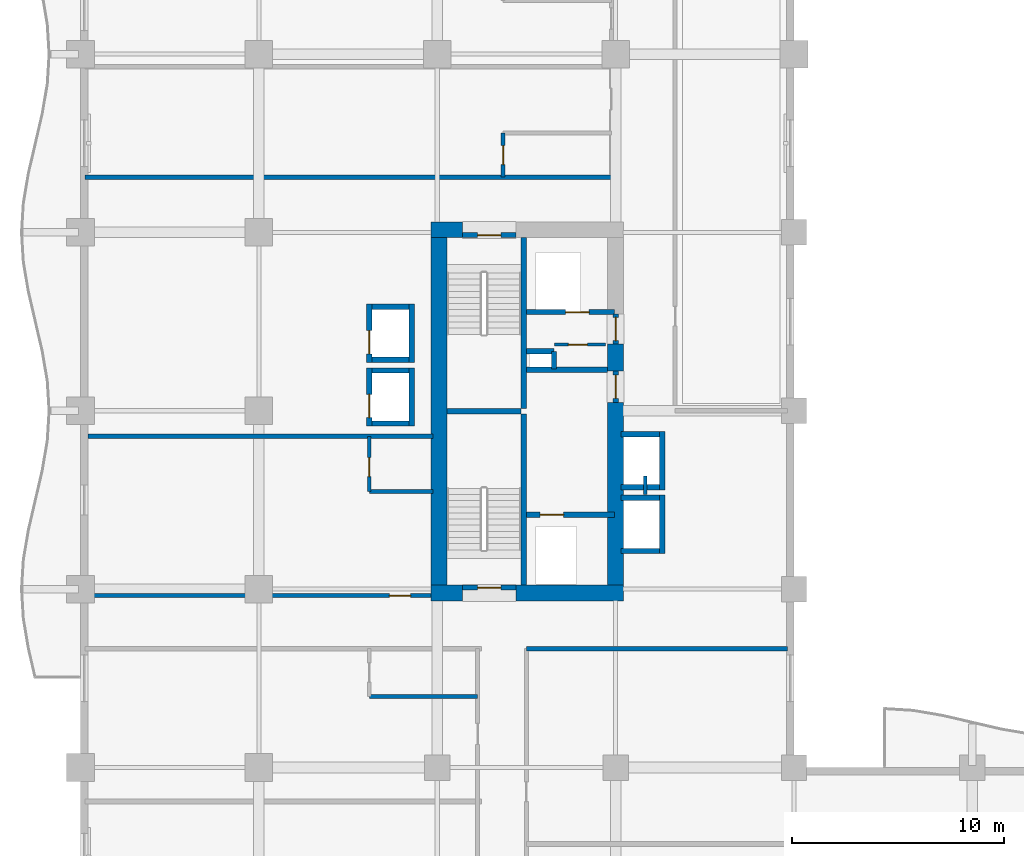
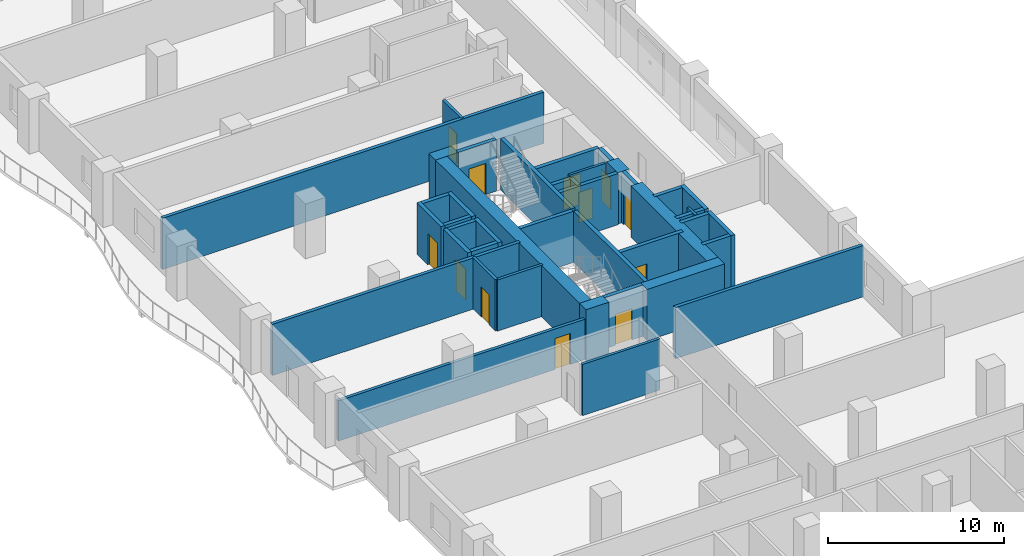
# One storey, part 13 of 24: 42 walls, 12 doors, 12 openings.
"""IFC4 building model written with IfcOpenShell, lengths in metres."""

from ifc_helpers import new_model, si_unit, direction, frame, frame_2d, origin, place, context, subcontext, project, spatial, rectangle, extrude, material, layer, layer_set, type_object, element, fill, save


model = new_model("IFC4")

# Units and contexts
model_context = context("Model", 3, precision=1e-05, world=origin(), true_north=direction((0.0, 1.0)))
body_context = subcontext(model_context, "Body", "Model", "MODEL_VIEW")
ifc_project = project(units=[si_unit("LENGTHUNIT", "METRE"), si_unit("AREAUNIT", "SQUARE_METRE"), si_unit("VOLUMEUNIT", "CUBIC_METRE"), si_unit("PLANEANGLEUNIT", "RADIAN"), si_unit("MASSUNIT", "GRAM", prefix="KILO")], contexts=[model_context])

# Site, building, storey
site_placement = place(None, origin())
site = spatial("IfcSite", under=ifc_project, at=site_placement, CompositionType="ELEMENT")
building_placement = place(site_placement, origin())
building = spatial("IfcBuilding", under=site, at=building_placement, Name="Koriwani Terraces Tower", CompositionType="ELEMENT")
storey_placement = place(building_placement, frame((0.0, 0.0, 103.800048828125)))
storey = spatial("IfcBuildingStorey", under=building, at=storey_placement, Name="L24", CompositionType="ELEMENT", Elevation=103.800048828125)

# Walls
ifc_material_1 = material(Name="Concrete C60/75", Category="concrete")
ifc_layer_1 = layer(ifc_material_1, 0.75, Name="Concrete C60/75")
ifc_layer_set_1 = layer_set([ifc_layer_1], Name="Concrete C60/75")
wall_type_1 = type_object("IfcWallType", Name="WALL_CORE_RC_750", PredefinedType="SHEAR", material=ifc_layer_set_1)
wall_1_placement = place(storey_placement, frame((16.5, 41.824951171875, 0.0), z_axis=(0.0, 0.0, 1.0), x_axis=(1.0, 0.0, 0.0)))
element("IfcWall", 1, at=wall_1_placement, inside=storey, type_object=wall_type_1, Name="L24 West Split Core Shear Wall S1", PredefinedType="SHEAR", context=body_context, shape_type="SweptSolid", body=[
    extrude(rectangle(XDim=1.5, YDim=0.75, at=frame_2d((0.75, 0.0))), origin(), (0.0, 0.0, 1.0), 3.550048828125),
])
wall_2_placement = place(storey_placement, frame((20.5, 41.824951171875, 0.0), z_axis=(0.0, 0.0, 1.0), x_axis=(1.0, 0.0, 0.0)))
element("IfcWall", 2, at=wall_2_placement, inside=storey, type_object=wall_type_1, Name="L24 West Split Core Shear Wall S2", PredefinedType="SHEAR", context=body_context, shape_type="SweptSolid", body=[
    extrude(rectangle(XDim=5.074951171875, YDim=0.75, at=frame_2d((2.53759765625, 0.0))), origin(), (0.0, 0.0, 1.0), 3.550048828125),
])
wall_3_placement = place(storey_placement, frame((16.5, 58.925048828125, 0.0), z_axis=(0.0, 0.0, 1.0), x_axis=(1.0, 0.0, 0.0)))
element("IfcWall", 3, at=wall_3_placement, inside=storey, type_object=wall_type_1, Name="L24 West Split Core Shear Wall N1", PredefinedType="SHEAR", context=body_context, shape_type="SweptSolid", body=[
    extrude(rectangle(XDim=1.5, YDim=0.75, at=frame_2d((0.75, 0.0))), origin(), (0.0, 0.0, 1.0), 3.550048828125),
])
wall_4_placement = place(storey_placement, frame((16.875, 42.199951171875, 0.0), z_axis=(0.0, 0.0, 1.0), x_axis=(0.0, 1.0, 0.0)))
element("IfcWall", 4, at=wall_4_placement, inside=storey, type_object=wall_type_1, Name="L24 West Split Core Shear Wall W1", PredefinedType="SHEAR", context=body_context, shape_type="SweptSolid", body=[
    extrude(rectangle(XDim=16.35009765625, YDim=0.75, at=frame_2d((8.175048828125, 0.0))), origin(), (0.0, 0.0, 1.0), 3.550048828125),
])
wall_5_placement = place(storey_placement, frame((25.199951171875, 42.199951171875, 0.0), z_axis=(0.0, 0.0, 1.0), x_axis=(0.0, 1.0, 0.0)))
element("IfcWall", 5, at=wall_5_placement, inside=storey, type_object=wall_type_1, Name="L24 West Split Core Shear Wall E1", PredefinedType="SHEAR", context=body_context, shape_type="SweptSolid", body=[
    extrude(rectangle(XDim=8.60009765625, YDim=0.75, at=frame_2d((4.300048828125, 0.0))), origin(), (0.0, 0.0, 1.0), 3.550048828125),
])
wall_6_placement = place(storey_placement, frame((25.199951171875, 52.280029296875, 0.0), z_axis=(0.0, 0.0, 1.0), x_axis=(0.0, 1.0, 0.0)))
element("IfcWall", 6, at=wall_6_placement, inside=storey, type_object=wall_type_1, Name="L24 West Split Core Shear Wall E2", PredefinedType="SHEAR", context=body_context, shape_type="SweptSolid", body=[
    extrude(rectangle(XDim=1.27001953125, YDim=0.75, at=frame_2d((0.635009765625, 0.0))), origin(), (0.0, 0.0, 1.0), 3.550048828125),
])

# Wall, opening, door
ifc_material_2 = material(Name="Autoclaved Cellular Concrete Blockwork", Category="masonry")
ifc_layer_2 = layer(ifc_material_2, 0.199951171875, Name="Autoclaved Cellular Concrete Blockwork")
ifc_layer_set_2 = layer_set([ifc_layer_2], Name="Autoclaved Cellular Concrete Blockwork")
wall_type_2 = type_object("IfcWallType", Name="WALL_CORRIDOR_200", PredefinedType="PARTITIONING", material=ifc_layer_set_2)
wall_7_placement = place(storey_placement, frame((0.35009765625, 41.699951171875, 0.0), z_axis=(0.0, 0.0, 1.0), x_axis=(1.0, 0.0, 0.0)))
wall_7 = element("IfcWall", 7, at=wall_7_placement, inside=storey, type_object=wall_type_2, Name="L24 Interior Wall WREC-WS-L24", PredefinedType="PARTITIONING", context=body_context, shape_type="SweptSolid", body=[
    extrude(rectangle(XDim=16.25, YDim=0.199951171875, at=frame_2d((8.125, 0.0))), origin(), (0.0, 0.0, 1.0), 2.800048828125),
])
opening_1_placement = place(wall_7_placement, frame((14.199951171875, 0.0, 0.0)))
opening_1 = element("IfcOpeningElement", 8, at=opening_1_placement, cuts=wall_7, Name="Opening D-05", PredefinedType="OPENING", context=body_context, shape_type="SweptSolid", body=[
    extrude(rectangle(XDim=1.0, YDim=2.14990234375, at=frame_2d((0.5, 1.074951171875))), frame((0.0, 0.10986328125, 0.0), z_axis=(0.0, -1.0, 0.0), x_axis=(1.0, 0.0, 0.0)), (0.0, 0.0, 1.0), 0.219970703125),
])
ifc_material_3 = material(Name="Architectural Oak Fire Door", Category="wood")
door_type_1 = type_object("IfcDoorType", Name="DOOR_SUITE_ENTRY_1000X2150", OperationType="NOTDEFINED", PredefinedType="DOOR", material=ifc_material_3)
door_1_placement = place(opening_1_placement, origin())
door_1 = element("IfcDoor", 9, at=door_1_placement, inside=storey, type_object=door_type_1, Name="L24 Reclaimed West Suite Door", OperationType="SINGLE_SWING_RIGHT", OverallHeight=2.14990234375, OverallWidth=1.0, PredefinedType="DOOR", context=body_context, shape_type="SweptSolid", body=[
    extrude(rectangle(XDim=1.0, YDim=2.14990234375, at=frame_2d((0.5, 1.074951171875))), frame((0.0, 0.02490234375, 0.0), z_axis=(0.0, -1.0, 0.0), x_axis=(1.0, 0.0, 0.0)), (0.0, 0.0, 1.0), 0.050048828125),
])
fill(opening_1, door_1)

# Walls
ifc_layer_3 = layer(ifc_material_2, 0.219970703125, Name="Autoclaved Cellular Concrete Blockwork")
ifc_layer_set_3 = layer_set([ifc_layer_3], Name="Autoclaved Cellular Concrete Blockwork")
wall_type_3 = type_object("IfcWallType", Name="WALL_DEMISING_220", PredefinedType="PARTITIONING", material=ifc_layer_set_3)
wall_8_placement = place(storey_placement, frame((0.35009765625, 49.199951171875, 0.0), z_axis=(0.0, 0.0, 1.0), x_axis=(1.0, 0.0, 0.0)))
element("IfcWall", 10, at=wall_8_placement, inside=storey, type_object=wall_type_3, Name="L24 Interior Wall WREC-WN-L24", PredefinedType="PARTITIONING", context=body_context, shape_type="SweptSolid", body=[
    extrude(rectangle(XDim=16.25, YDim=0.219970703125, at=frame_2d((8.125, 0.0))), origin(), (0.0, 0.0, 1.0), 3.550048828125),
])
wall_9_placement = place(storey_placement, frame((21.0, 39.199951171875, 0.0), z_axis=(0.0, 0.0, 1.0), x_axis=(1.0, 0.0, 0.0)))
element("IfcWall", 11, at=wall_9_placement, inside=storey, type_object=wall_type_3, Name="L24 Interior Wall WIC2-N-L24", PredefinedType="PARTITIONING", context=body_context, shape_type="SweptSolid", body=[
    extrude(rectangle(XDim=12.300048828125, YDim=0.219970703125, at=frame_2d((6.14990234375, 0.0))), origin(), (0.0, 0.0, 1.0), 3.550048828125),
])
wall_10_placement = place(storey_placement, frame((0.199951171875, 61.39990234375, 0.0), z_axis=(0.0, 0.0, 1.0), x_axis=(1.0, 0.0, 0.0)))
element("IfcWall", 12, at=wall_10_placement, inside=storey, type_object=wall_type_3, Name="L24 Interior Wall WDEM-L24-NE-0", PredefinedType="PARTITIONING", context=body_context, shape_type="SweptSolid", body=[
    extrude(rectangle(XDim=24.97998046875, YDim=0.219970703125, at=frame_2d((12.489990234375, 0.0))), origin(), (0.0, 0.0, 1.0), 3.550048828125),
])
ifc_material_4 = material(Name="Fire-Rated Acoustic Gypsum Partition", Category="masonry")
ifc_layer_4 = layer(ifc_material_4, 0.179931640625, Name="Fire-Rated Acoustic Gypsum Partition")
ifc_layer_set_4 = layer_set([ifc_layer_4], Name="Fire-Rated Acoustic Gypsum Partition")
wall_type_4 = type_object("IfcWallType", Name="WALL_PLUMBING_180", PredefinedType="PLUMBINGWALL", material=ifc_layer_set_4)
wall_11_placement = place(storey_placement, frame((13.60009765625, 46.60009765625, 0.0), z_axis=(0.0, 0.0, 1.0), x_axis=(1.0, 0.0, 0.0)))
element("IfcWall", 13, at=wall_11_placement, inside=storey, type_object=wall_type_4, Name="L24 Interior Wall WREC-WB1-L24", PredefinedType="PLUMBINGWALL", context=body_context, shape_type="SweptSolid", body=[
    extrude(rectangle(XDim=3.0, YDim=0.179931640625, at=frame_2d((1.5, 0.0))), origin(), (0.0, 0.0, 1.0), 3.550048828125),
])

# Wall, opening, door
wall_12_placement = place(storey_placement, frame((13.60009765625, 46.60009765625, 0.0), z_axis=(0.0, 0.0, 1.0), x_axis=(0.0, 1.0, 0.0)))
wall_12 = element("IfcWall", 14, at=wall_12_placement, inside=storey, type_object=wall_type_4, Name="L24 Interior Wall WREC-WB2-L24", PredefinedType="PLUMBINGWALL", context=body_context, shape_type="SweptSolid", body=[
    extrude(rectangle(XDim=2.599853515625, YDim=0.179931640625, at=frame_2d((1.2998046875, 0.0))), origin(), (0.0, 0.0, 1.0), 3.550048828125),
])
opening_2_placement = place(wall_12_placement, frame((0.699951171875, 0.0, 0.0)))
opening_2 = element("IfcOpeningElement", 15, at=opening_2_placement, cuts=wall_12, Name="Opening D-07", PredefinedType="OPENING", context=body_context, shape_type="SweptSolid", body=[
    extrude(rectangle(XDim=0.89990234375, YDim=2.10009765625, at=frame_2d((0.449951171875, 1.050048828125))), frame((0.0, 0.10009765625, 0.0), z_axis=(0.0, -1.0, 0.0), x_axis=(1.0, 0.0, 0.0)), (0.0, 0.0, 1.0), 0.199951171875),
])
door_type_2 = type_object("IfcDoorType", Name="DOOR_BATH_INT_900X2100", OperationType="NOTDEFINED", PredefinedType="DOOR", material=ifc_material_3)
door_2_placement = place(opening_2_placement, origin())
door_2 = element("IfcDoor", 16, at=door_2_placement, inside=storey, type_object=door_type_2, Name="L24 Reclaimed Suite En-Suite Door", OperationType="SINGLE_SWING_LEFT", OverallHeight=2.10009765625, OverallWidth=0.89990234375, PredefinedType="DOOR", context=body_context, shape_type="SweptSolid", body=[
    extrude(rectangle(XDim=0.89990234375, YDim=2.10009765625, at=frame_2d((0.449951171875, 1.050048828125))), frame((0.0, 0.02490234375, 0.0), z_axis=(0.0, -1.0, 0.0), x_axis=(1.0, 0.0, 0.0)), (0.0, 0.0, 1.0), 0.050048828125),
])
fill(opening_2, door_2)

# Wall
wall_13_placement = place(storey_placement, frame((13.60009765625, 36.949951171875, 0.0), z_axis=(0.0, 0.0, 1.0), x_axis=(1.0, 0.0, 0.0)))
element("IfcWall", 17, at=wall_13_placement, inside=storey, type_object=wall_type_4, Name="L24 Interior Wall WBTH2-L24-NW-1", PredefinedType="PLUMBINGWALL", context=body_context, shape_type="SweptSolid", body=[
    extrude(rectangle(XDim=5.099853515625, YDim=0.179931640625, at=frame_2d((2.5498046875, 0.0))), origin(), (0.0, 0.0, 1.0), 3.550048828125),
])

# Wall, opening, door
wall_14_placement = place(storey_placement, frame((19.89990234375, 61.39990234375, 0.0), z_axis=(0.0, 0.0, 1.0), x_axis=(0.0, 1.0, 0.0)))
wall_14 = element("IfcWall", 18, at=wall_14_placement, inside=storey, type_object=wall_type_4, Name="L24 Interior Wall WBTH1-L24-NE-0", PredefinedType="PLUMBINGWALL", context=body_context, shape_type="SweptSolid", body=[
    extrude(rectangle(XDim=2.080078125, YDim=0.179931640625, at=frame_2d((1.0400390625, 0.0))), origin(), (0.0, 0.0, 1.0), 3.550048828125),
])
opening_3_placement = place(wall_14_placement, frame((0.590087890625, 0.0, 0.0)))
opening_3 = element("IfcOpeningElement", 19, at=opening_3_placement, cuts=wall_14, Name="Opening D-07", PredefinedType="OPENING", context=body_context, shape_type="SweptSolid", body=[
    extrude(rectangle(XDim=0.89990234375, YDim=2.10009765625, at=frame_2d((0.449951171875, 1.050048828125))), frame((0.0, 0.10009765625, 0.0), z_axis=(0.0, -1.0, 0.0), x_axis=(1.0, 0.0, 0.0)), (0.0, 0.0, 1.0), 0.199951171875),
])
door_3_placement = place(opening_3_placement, origin())
door_3 = element("IfcDoor", 20, at=door_3_placement, inside=storey, type_object=door_type_2, Name="En-Suite Bathroom 24NE1 Door", OperationType="SINGLE_SWING_LEFT", OverallHeight=2.10009765625, OverallWidth=0.89990234375, PredefinedType="DOOR", context=body_context, shape_type="SweptSolid", body=[
    extrude(rectangle(XDim=0.89990234375, YDim=2.10009765625, at=frame_2d((0.449951171875, 1.050048828125))), frame((0.0, 0.02490234375, 0.0), z_axis=(0.0, -1.0, 0.0), x_axis=(1.0, 0.0, 0.0)), (0.0, 0.0, 1.0), 0.050048828125),
])
fill(opening_3, door_3)

# Walls
ifc_material_5 = material(Name="Concrete C40/50", Category="concrete")
ifc_layer_5 = layer(ifc_material_5, 0.25, Name="Concrete C40/50")
ifc_layer_set_5 = layer_set([ifc_layer_5], Name="Concrete C40/50")
wall_type_5 = type_object("IfcWallType", Name="WALL_SHAFT_RATED_250", PredefinedType="SOLIDWALL", material=ifc_layer_set_5)
for number, where, z_axis, x_axis, name in (
    (21, (20.875, 42.199951171875, 0.0), (0.0, 0.0, 1.0), (0.0, 1.0, 0.0), "L24 West Split Core Web Wall MID1"),
    (22, (20.875, 50.5, 0.0), (0.0, 0.0, 1.0), (0.0, 1.0, 0.0), "L24 West Split Core Web Wall MID2"),
):
    element("IfcWall", number, at=place(storey_placement, frame(where, z_axis=z_axis, x_axis=x_axis)), inside=storey, type_object=wall_type_5, Name=name, PredefinedType="SOLIDWALL", context=body_context, shape_type="SweptSolid", body=[
        extrude(rectangle(XDim=8.050048828125, YDim=0.25, at=frame_2d((4.02490234375, 0.0))), origin(), (0.0, 0.0, 1.0), 3.550048828125),
    ])
wall_15_placement = place(storey_placement, frame((17.25, 50.375, 0.0), z_axis=(0.0, 0.0, 1.0), x_axis=(1.0, 0.0, 0.0)))
element("IfcWall", 23, at=wall_15_placement, inside=storey, type_object=wall_type_5, Name="L24 West Split Core Stair Dividing Wall", PredefinedType="SOLIDWALL", context=body_context, shape_type="SweptSolid", body=[
    extrude(rectangle(XDim=3.5, YDim=0.25, at=frame_2d((1.75, 0.0))), origin(), (0.0, 0.0, 1.0), 3.550048828125),
])

# Wall, opening, door
wall_16_placement = place(storey_placement, frame((18.0, 42.074951171875, 0.0), z_axis=(0.0, 0.0, 1.0), x_axis=(1.0, 0.0, 0.0)))
wall_16 = element("IfcWall", 24, at=wall_16_placement, inside=storey, type_object=wall_type_5, Name="L24 Interior Wall WIN-CW-L24-STS", PredefinedType="SOLIDWALL", context=body_context, shape_type="SweptSolid", body=[
    extrude(rectangle(XDim=2.5, YDim=0.25, at=frame_2d((1.25, 0.0))), origin(), (0.0, 0.0, 1.0), 3.550048828125),
])
opening_4_placement = place(wall_16_placement, frame((0.699951171875, 0.0, 0.0)))
opening_4 = element("IfcOpeningElement", 25, at=opening_4_placement, cuts=wall_16, Name="Opening D-03", PredefinedType="OPENING", context=body_context, shape_type="SweptSolid", body=[
    extrude(rectangle(XDim=1.10009765625, YDim=2.14990234375, at=frame_2d((0.550048828125, 1.074951171875))), frame((0.0, 0.135009765625, 0.0), z_axis=(0.0, -1.0, 0.0), x_axis=(1.0, 0.0, 0.0)), (0.0, 0.0, 1.0), 0.27001953125),
])
ifc_material_6 = material(Name="Steel ASTM A572 Grade 50", Category="steel")
door_type_3 = type_object("IfcDoorType", Name="DOOR_STAIR_FIRE_1100X2150", OperationType="NOTDEFINED", PredefinedType="DOOR", material=ifc_material_6)
door_4_placement = place(opening_4_placement, origin())
door_4 = element("IfcDoor", 26, at=door_4_placement, inside=storey, type_object=door_type_3, Name="L24 Exit Stair ST-W1 Door", OperationType="SINGLE_SWING_RIGHT", OverallHeight=2.14990234375, OverallWidth=1.10009765625, PredefinedType="DOOR", context=body_context, shape_type="SweptSolid", body=[
    extrude(rectangle(XDim=1.10009765625, YDim=2.14990234375, at=frame_2d((0.550048828125, 1.074951171875))), frame((0.0, 0.02490234375, 0.0), z_axis=(0.0, -1.0, 0.0), x_axis=(1.0, 0.0, 0.0)), (0.0, 0.0, 1.0), 0.050048828125),
])
fill(opening_4, door_4)

wall_17_placement = place(storey_placement, frame((18.0, 58.675048828125, 0.0), z_axis=(0.0, 0.0, 1.0), x_axis=(1.0, 0.0, 0.0)))
wall_17 = element("IfcWall", 27, at=wall_17_placement, inside=storey, type_object=wall_type_5, Name="L24 Interior Wall WIN-CW-L24-STN", PredefinedType="SOLIDWALL", context=body_context, shape_type="SweptSolid", body=[
    extrude(rectangle(XDim=2.5, YDim=0.25, at=frame_2d((1.25, 0.0))), origin(), (0.0, 0.0, 1.0), 3.550048828125),
])
opening_5_placement = place(wall_17_placement, frame((0.699951171875, 0.0, 0.0)))
opening_5 = element("IfcOpeningElement", 28, at=opening_5_placement, cuts=wall_17, Name="Opening D-03", PredefinedType="OPENING", context=body_context, shape_type="SweptSolid", body=[
    extrude(rectangle(XDim=1.10009765625, YDim=2.14990234375, at=frame_2d((0.550048828125, 1.074951171875))), frame((0.0, 0.135009765625, 0.0), z_axis=(0.0, -1.0, 0.0), x_axis=(1.0, 0.0, 0.0)), (0.0, 0.0, 1.0), 0.27001953125),
])
door_5_placement = place(opening_5_placement, origin())
door_5 = element("IfcDoor", 29, at=door_5_placement, inside=storey, type_object=door_type_3, Name="L24 Exit Stair ST-W2 Door", OperationType="SINGLE_SWING_LEFT", OverallHeight=2.14990234375, OverallWidth=1.10009765625, PredefinedType="DOOR", context=body_context, shape_type="SweptSolid", body=[
    extrude(rectangle(XDim=1.10009765625, YDim=2.14990234375, at=frame_2d((0.550048828125, 1.074951171875))), frame((0.0, 0.02490234375, 0.0), z_axis=(0.0, -1.0, 0.0), x_axis=(1.0, 0.0, 0.0)), (0.0, 0.0, 1.0), 0.050048828125),
])
fill(opening_5, door_5)

wall_18_placement = place(storey_placement, frame((21.0, 45.5, 0.0), z_axis=(0.0, 0.0, 1.0), x_axis=(1.0, 0.0, 0.0)))
wall_18 = element("IfcWall", 30, at=wall_18_placement, inside=storey, type_object=wall_type_5, Name="L24 Interior Wall WIN-CW-L24-FE", PredefinedType="SOLIDWALL", context=body_context, shape_type="SweptSolid", body=[
    extrude(rectangle(XDim=4.14990234375, YDim=0.25, at=frame_2d((2.074951171875, 0.0))), origin(), (0.0, 0.0, 1.0), 3.550048828125),
])
opening_6_placement = place(wall_18_placement, frame((0.64990234375, 0.0, 0.0)))
opening_6 = element("IfcOpeningElement", 31, at=opening_6_placement, cuts=wall_18, Name="Opening LD-01", PredefinedType="OPENING", context=body_context, shape_type="SweptSolid", body=[
    extrude(rectangle(XDim=1.10009765625, YDim=2.14990234375, at=frame_2d((0.550048828125, 1.074951171875))), frame((0.0, 0.135009765625, 0.0), z_axis=(0.0, -1.0, 0.0), x_axis=(1.0, 0.0, 0.0)), (0.0, 0.0, 1.0), 0.27001953125),
])
door_type_4 = type_object("IfcDoorType", Name="DOOR_LIFT_LANDING_1100X2200", OperationType="NOTDEFINED", PredefinedType="DOOR", material=ifc_material_6)
door_6_placement = place(opening_6_placement, origin())
door_6 = element("IfcDoor", 32, at=door_6_placement, inside=storey, type_object=door_type_4, Name="L24 Firefighting Lift FE-01 Landing Door", OperationType="SLIDING_TO_LEFT", OverallHeight=2.14990234375, OverallWidth=1.10009765625, PredefinedType="DOOR", context=body_context, shape_type="SweptSolid", body=[
    extrude(rectangle(XDim=1.10009765625, YDim=2.14990234375, at=frame_2d((0.550048828125, 1.074951171875))), frame((0.0, 0.02490234375, 0.0), z_axis=(0.0, -1.0, 0.0), x_axis=(1.0, 0.0, 0.0)), (0.0, 0.0, 1.0), 0.050048828125),
])
fill(opening_6, door_6)

wall_19_placement = place(storey_placement, frame((25.199951171875, 50.800048828125, 0.0), z_axis=(0.0, 0.0, 1.0), x_axis=(0.0, 1.0, 0.0)))
wall_19 = element("IfcWall", 33, at=wall_19_placement, inside=storey, type_object=wall_type_5, Name="L24 Interior Wall WIN-CW-L24-EP", PredefinedType="SOLIDWALL", context=body_context, shape_type="SweptSolid", body=[
    extrude(rectangle(XDim=1.47998046875, YDim=0.25, at=frame_2d((0.739990234375, 0.0))), origin(), (0.0, 0.0, 1.0), 3.550048828125),
])
opening_7_placement = place(wall_19_placement, frame((0.179931640625, 0.0, 0.0)))
opening_7 = element("IfcOpeningElement", 34, at=opening_7_placement, cuts=wall_19, Name="Opening D-03", PredefinedType="OPENING", context=body_context, shape_type="SweptSolid", body=[
    extrude(rectangle(XDim=1.10009765625, YDim=2.14990234375, at=frame_2d((0.550048828125, 1.074951171875))), frame((0.0, 0.135009765625, 0.0), z_axis=(0.0, -1.0, 0.0), x_axis=(1.0, 0.0, 0.0)), (0.0, 0.0, 1.0), 0.27001953125),
])
door_7_placement = place(opening_7_placement, origin())
door_7 = element("IfcDoor", 35, at=door_7_placement, inside=storey, type_object=door_type_3, Name="L24 West Firefighting Lobby Door", OperationType="SINGLE_SWING_RIGHT", OverallHeight=2.14990234375, OverallWidth=1.10009765625, PredefinedType="DOOR", context=body_context, shape_type="SweptSolid", body=[
    extrude(rectangle(XDim=1.10009765625, YDim=2.14990234375, at=frame_2d((0.550048828125, 1.074951171875))), frame((0.0, 0.02490234375, 0.0), z_axis=(0.0, -1.0, 0.0), x_axis=(1.0, 0.0, 0.0)), (0.0, 0.0, 1.0), 0.050048828125),
])
fill(opening_7, door_7)

# Wall
wall_20_placement = place(storey_placement, frame((21.0, 52.340087890625, 0.0), z_axis=(0.0, 0.0, 1.0), x_axis=(1.0, 0.0, 0.0)))
element("IfcWall", 36, at=wall_20_placement, inside=storey, type_object=wall_type_5, Name="L24 Interior Wall WIN-CW-L24-FFN", PredefinedType="SOLIDWALL", context=body_context, shape_type="SweptSolid", body=[
    extrude(rectangle(XDim=3.824951171875, YDim=0.25, at=frame_2d((1.91259765625, 0.0))), origin(), (0.0, 0.0, 1.0), 3.550048828125),
])

# Wall, opening, door
wall_21_placement = place(storey_placement, frame((21.0, 55.050048828125, 0.0), z_axis=(0.0, 0.0, 1.0), x_axis=(1.0, 0.0, 0.0)))
wall_21 = element("IfcWall", 37, at=wall_21_placement, inside=storey, type_object=wall_type_5, Name="L24 Interior Wall WIN-CW-L24-SE", PredefinedType="SOLIDWALL", context=body_context, shape_type="SweptSolid", body=[
    extrude(rectangle(XDim=4.14990234375, YDim=0.25, at=frame_2d((2.074951171875, 0.0))), origin(), (0.0, 0.0, 1.0), 3.550048828125),
])
opening_8_placement = place(wall_21_placement, frame((1.85009765625, 0.0, 0.0)))
opening_8 = element("IfcOpeningElement", 38, at=opening_8_placement, cuts=wall_21, Name="Opening LD-01", PredefinedType="OPENING", context=body_context, shape_type="SweptSolid", body=[
    extrude(rectangle(XDim=1.10009765625, YDim=2.14990234375, at=frame_2d((0.550048828125, 1.074951171875))), frame((0.0, 0.135009765625, 0.0), z_axis=(0.0, -1.0, 0.0), x_axis=(1.0, 0.0, 0.0)), (0.0, 0.0, 1.0), 0.27001953125),
])
door_8_placement = place(opening_8_placement, origin())
door_8 = element("IfcDoor", 39, at=door_8_placement, inside=storey, type_object=door_type_4, Name="L24 Goods Lift SE-01 Landing Door", OperationType="SLIDING_TO_LEFT", OverallHeight=2.14990234375, OverallWidth=1.10009765625, PredefinedType="DOOR", context=body_context, shape_type="SweptSolid", body=[
    extrude(rectangle(XDim=1.10009765625, YDim=2.14990234375, at=frame_2d((0.550048828125, 1.074951171875))), frame((0.0, 0.02490234375, 0.0), z_axis=(0.0, -1.0, 0.0), x_axis=(1.0, 0.0, 0.0)), (0.0, 0.0, 1.0), 0.050048828125),
])
fill(opening_8, door_8)

wall_22_placement = place(storey_placement, frame((25.199951171875, 53.550048828125, 0.0), z_axis=(0.0, 0.0, 1.0), x_axis=(0.0, 1.0, 0.0)))
wall_22 = element("IfcWall", 40, at=wall_22_placement, inside=storey, type_object=wall_type_5, Name="L24 Interior Wall WIN-CW-L24-EP2", PredefinedType="SOLIDWALL", context=body_context, shape_type="SweptSolid", body=[
    extrude(rectangle(XDim=1.39990234375, YDim=0.25, at=frame_2d((0.699951171875, 0.0))), origin(), (0.0, 0.0, 1.0), 3.550048828125),
])
opening_9_placement = place(wall_22_placement, frame((0.14990234375, 0.0, 0.0)))
opening_9 = element("IfcOpeningElement", 41, at=opening_9_placement, cuts=wall_22, Name="Opening D-03", PredefinedType="OPENING", context=body_context, shape_type="SweptSolid", body=[
    extrude(rectangle(XDim=1.10009765625, YDim=2.14990234375, at=frame_2d((0.550048828125, 1.074951171875))), frame((0.0, 0.135009765625, 0.0), z_axis=(0.0, -1.0, 0.0), x_axis=(1.0, 0.0, 0.0)), (0.0, 0.0, 1.0), 0.27001953125),
])
door_9_placement = place(opening_9_placement, origin())
door_9 = element("IfcDoor", 42, at=door_9_placement, inside=storey, type_object=door_type_3, Name="L24 West Goods Lift Lobby Door", OperationType="SINGLE_SWING_LEFT", OverallHeight=2.14990234375, OverallWidth=1.10009765625, PredefinedType="DOOR", context=body_context, shape_type="SweptSolid", body=[
    extrude(rectangle(XDim=1.10009765625, YDim=2.14990234375, at=frame_2d((0.550048828125, 1.074951171875))), frame((0.0, 0.02490234375, 0.0), z_axis=(0.0, -1.0, 0.0), x_axis=(1.0, 0.0, 0.0)), (0.0, 0.0, 1.0), 0.050048828125),
])
fill(opening_9, door_9)

# Walls
wall_23_placement = place(storey_placement, frame((21.0, 53.199951171875, 0.0), z_axis=(0.0, 0.0, 1.0), x_axis=(1.0, 0.0, 0.0)))
element("IfcWall", 43, at=wall_23_placement, inside=storey, type_object=wall_type_5, Name="L24 Interior Wall WIN-CW-L24-RS1", PredefinedType="SOLIDWALL", context=body_context, shape_type="SweptSolid", body=[
    extrude(rectangle(XDim=1.300048828125, YDim=0.25, at=frame_2d((0.64990234375, 0.0))), origin(), (0.0, 0.0, 1.0), 3.550048828125),
])
wall_24_placement = place(storey_placement, frame((22.300048828125, 52.360107421875, 0.0), z_axis=(0.0, 0.0, 1.0), x_axis=(0.0, 1.0, 0.0)))
element("IfcWall", 44, at=wall_24_placement, inside=storey, type_object=wall_type_5, Name="L24 Interior Wall WIN-CW-L24-RS2", PredefinedType="SOLIDWALL", context=body_context, shape_type="SweptSolid", body=[
    extrude(rectangle(XDim=0.83984375, YDim=0.25, at=frame_2d((0.419921875, 0.0))), origin(), (0.0, 0.0, 1.0), 3.550048828125),
])

# Wall, opening, door
wall_25_placement = place(storey_placement, frame((13.60009765625, 49.675048828125, 0.0), z_axis=(0.0, 0.0, 1.0), x_axis=(0.0, 1.0, 0.0)))
wall_25 = element("IfcWall", 45, at=wall_25_placement, inside=storey, type_object=wall_type_5, Name="L24 Interior Wall WIN-LF-PE-M1-L24-F", PredefinedType="SOLIDWALL", context=body_context, shape_type="SweptSolid", body=[
    extrude(rectangle(XDim=2.75, YDim=0.25, at=frame_2d((1.375, 0.0))), origin(), (0.0, 0.0, 1.0), 3.550048828125),
])
opening_10_placement = place(wall_25_placement, frame((0.39990234375, 0.0, 0.0)))
opening_10 = element("IfcOpeningElement", 46, at=opening_10_placement, cuts=wall_25, Name="Opening LD-01", PredefinedType="OPENING", context=body_context, shape_type="SweptSolid", body=[
    extrude(rectangle(XDim=1.10009765625, YDim=2.14990234375, at=frame_2d((0.550048828125, 1.074951171875))), frame((0.0, 0.135009765625, 0.0), z_axis=(0.0, -1.0, 0.0), x_axis=(1.0, 0.0, 0.0)), (0.0, 0.0, 1.0), 0.27001953125),
])
door_10_placement = place(opening_10_placement, origin())
door_10 = element("IfcDoor", 47, at=door_10_placement, inside=storey, type_object=door_type_4, Name="L24 Passenger Lift PE-M1 Landing Door", OperationType="SLIDING_TO_LEFT", OverallHeight=2.14990234375, OverallWidth=1.10009765625, PredefinedType="DOOR", context=body_context, shape_type="SweptSolid", body=[
    extrude(rectangle(XDim=1.10009765625, YDim=2.14990234375, at=frame_2d((0.550048828125, 1.074951171875))), frame((0.0, 0.02490234375, 0.0), z_axis=(0.0, -1.0, 0.0), x_axis=(1.0, 0.0, 0.0)), (0.0, 0.0, 1.0), 0.050048828125),
])
fill(opening_10, door_10)

# Walls
wall_26_placement = place(storey_placement, frame((15.60009765625, 49.675048828125, 0.0), z_axis=(0.0, 0.0, 1.0), x_axis=(0.0, 1.0, 0.0)))
element("IfcWall", 48, at=wall_26_placement, inside=storey, type_object=wall_type_5, Name="L24 Interior Wall WIN-LF-PE-M1-L24-B", PredefinedType="SOLIDWALL", context=body_context, shape_type="SweptSolid", body=[
    extrude(rectangle(XDim=2.75, YDim=0.25, at=frame_2d((1.375, 0.0))), origin(), (0.0, 0.0, 1.0), 3.550048828125),
])
for number, where, z_axis, x_axis, name in (
    (49, (13.72509765625, 49.800048828125, 0.0), (0.0, 0.0, 1.0), (1.0, 0.0, 0.0), "L24 Interior Wall WIN-LF-PE-M1-L24-S"),
    (50, (13.72509765625, 52.300048828125, 0.0), (0.0, 0.0, 1.0), (1.0, 0.0, 0.0), "L24 Interior Wall WIN-LF-PE-M1-L24-N"),
):
    element("IfcWall", number, at=place(storey_placement, frame(where, z_axis=z_axis, x_axis=x_axis)), inside=storey, type_object=wall_type_5, Name=name, PredefinedType="SOLIDWALL", context=body_context, shape_type="SweptSolid", body=[
        extrude(rectangle(XDim=1.75, YDim=0.25, at=frame_2d((0.875, 0.0))), origin(), (0.0, 0.0, 1.0), 3.550048828125),
    ])

# Wall, opening, door
wall_27_placement = place(storey_placement, frame((13.60009765625, 52.675048828125, 0.0), z_axis=(0.0, 0.0, 1.0), x_axis=(0.0, 1.0, 0.0)))
wall_27 = element("IfcWall", 51, at=wall_27_placement, inside=storey, type_object=wall_type_5, Name="L24 Interior Wall WIN-LF-PE-M2-L24-F", PredefinedType="SOLIDWALL", context=body_context, shape_type="SweptSolid", body=[
    extrude(rectangle(XDim=2.75, YDim=0.25, at=frame_2d((1.375, 0.0))), origin(), (0.0, 0.0, 1.0), 3.550048828125),
])
opening_11_placement = place(wall_27_placement, frame((0.39990234375, 0.0, 0.0)))
opening_11 = element("IfcOpeningElement", 52, at=opening_11_placement, cuts=wall_27, Name="Opening LD-01", PredefinedType="OPENING", context=body_context, shape_type="SweptSolid", body=[
    extrude(rectangle(XDim=1.10009765625, YDim=2.14990234375, at=frame_2d((0.550048828125, 1.074951171875))), frame((0.0, 0.135009765625, 0.0), z_axis=(0.0, -1.0, 0.0), x_axis=(1.0, 0.0, 0.0)), (0.0, 0.0, 1.0), 0.27001953125),
])
door_11_placement = place(opening_11_placement, origin())
door_11 = element("IfcDoor", 53, at=door_11_placement, inside=storey, type_object=door_type_4, Name="L24 Passenger Lift PE-M2 Landing Door", OperationType="SLIDING_TO_LEFT", OverallHeight=2.14990234375, OverallWidth=1.10009765625, PredefinedType="DOOR", context=body_context, shape_type="SweptSolid", body=[
    extrude(rectangle(XDim=1.10009765625, YDim=2.14990234375, at=frame_2d((0.550048828125, 1.074951171875))), frame((0.0, 0.02490234375, 0.0), z_axis=(0.0, -1.0, 0.0), x_axis=(1.0, 0.0, 0.0)), (0.0, 0.0, 1.0), 0.050048828125),
])
fill(opening_11, door_11)

# Walls
wall_28_placement = place(storey_placement, frame((15.60009765625, 52.675048828125, 0.0), z_axis=(0.0, 0.0, 1.0), x_axis=(0.0, 1.0, 0.0)))
element("IfcWall", 54, at=wall_28_placement, inside=storey, type_object=wall_type_5, Name="L24 Interior Wall WIN-LF-PE-M2-L24-B", PredefinedType="SOLIDWALL", context=body_context, shape_type="SweptSolid", body=[
    extrude(rectangle(XDim=2.75, YDim=0.25, at=frame_2d((1.375, 0.0))), origin(), (0.0, 0.0, 1.0), 3.550048828125),
])
for number, where, z_axis, x_axis, name in (
    (55, (13.72509765625, 52.800048828125, 0.0), (0.0, 0.0, 1.0), (1.0, 0.0, 0.0), "L24 Interior Wall WIN-LF-PE-M2-L24-S"),
    (56, (13.72509765625, 55.300048828125, 0.0), (0.0, 0.0, 1.0), (1.0, 0.0, 0.0), "L24 Interior Wall WIN-LF-PE-M2-L24-N"),
):
    element("IfcWall", number, at=place(storey_placement, frame(where, z_axis=z_axis, x_axis=x_axis)), inside=storey, type_object=wall_type_5, Name=name, PredefinedType="SOLIDWALL", context=body_context, shape_type="SweptSolid", body=[
        extrude(rectangle(XDim=1.75, YDim=0.25, at=frame_2d((0.875, 0.0))), origin(), (0.0, 0.0, 1.0), 3.550048828125),
    ])
wall_29_placement = place(storey_placement, frame((27.39990234375, 43.675048828125, 0.0), z_axis=(0.0, 0.0, 1.0), x_axis=(0.0, 1.0, 0.0)))
element("IfcWall", 57, at=wall_29_placement, inside=storey, type_object=wall_type_5, Name="L24 Interior Wall WIN-LF-PE-H1-L24-F", PredefinedType="SOLIDWALL", context=body_context, shape_type="SweptSolid", body=[
    extrude(rectangle(XDim=2.75, YDim=0.25, at=frame_2d((1.375, 0.0))), origin(), (0.0, 0.0, 1.0), 3.550048828125),
])
for number, where, z_axis, x_axis, name in (
    (58, (25.449951171875, 43.800048828125, 0.0), (0.0, 0.0, 1.0), (1.0, 0.0, 0.0), "L24 Interior Wall WIN-LF-PE-H1-L24-S"),
    (59, (25.449951171875, 46.300048828125, 0.0), (0.0, 0.0, 1.0), (1.0, 0.0, 0.0), "L24 Interior Wall WIN-LF-PE-H1-L24-N"),
):
    element("IfcWall", number, at=place(storey_placement, frame(where, z_axis=z_axis, x_axis=x_axis)), inside=storey, type_object=wall_type_5, Name=name, PredefinedType="SOLIDWALL", context=body_context, shape_type="SweptSolid", body=[
        extrude(rectangle(XDim=1.824951171875, YDim=0.25, at=frame_2d((0.91259765625, 0.0))), origin(), (0.0, 0.0, 1.0), 3.550048828125),
    ])
wall_30_placement = place(storey_placement, frame((27.39990234375, 46.675048828125, 0.0), z_axis=(0.0, 0.0, 1.0), x_axis=(0.0, 1.0, 0.0)))
element("IfcWall", 60, at=wall_30_placement, inside=storey, type_object=wall_type_5, Name="L24 Interior Wall WIN-LF-PE-H2-L24-F", PredefinedType="SOLIDWALL", context=body_context, shape_type="SweptSolid", body=[
    extrude(rectangle(XDim=2.75, YDim=0.25, at=frame_2d((1.375, 0.0))), origin(), (0.0, 0.0, 1.0), 3.550048828125),
])
for number, where, z_axis, x_axis, name in (
    (61, (25.449951171875, 46.800048828125, 0.0), (0.0, 0.0, 1.0), (1.0, 0.0, 0.0), "L24 Interior Wall WIN-LF-PE-H2-L24-S"),
    (62, (25.449951171875, 49.300048828125, 0.0), (0.0, 0.0, 1.0), (1.0, 0.0, 0.0), "L24 Interior Wall WIN-LF-PE-H2-L24-N"),
):
    element("IfcWall", number, at=place(storey_placement, frame(where, z_axis=z_axis, x_axis=x_axis)), inside=storey, type_object=wall_type_5, Name=name, PredefinedType="SOLIDWALL", context=body_context, shape_type="SweptSolid", body=[
        extrude(rectangle(XDim=1.824951171875, YDim=0.25, at=frame_2d((0.91259765625, 0.0))), origin(), (0.0, 0.0, 1.0), 3.550048828125),
    ])

# Wall, opening, door
ifc_layer_6 = layer(ifc_material_4, 0.159912109375, Name="Fire-Rated Acoustic Gypsum Partition")
ifc_layer_set_6 = layer_set([ifc_layer_6], Name="Fire-Rated Acoustic Gypsum Partition")
wall_type_6 = type_object("IfcWallType", Name="WALL_SUITE_160", PredefinedType="PARTITIONING", material=ifc_layer_set_6)
wall_31_placement = place(storey_placement, frame((22.320068359375, 53.52001953125, 0.0), z_axis=(0.0, 0.0, 1.0), x_axis=(1.0, 0.0, 0.0)))
wall_31 = element("IfcWall", 63, at=wall_31_placement, inside=storey, type_object=wall_type_6, Name="L24 Interior Wall WIN-CW-L24-SV0", PredefinedType="PARTITIONING", context=body_context, shape_type="SweptSolid", body=[
    extrude(rectangle(XDim=2.39990234375, YDim=0.159912109375, at=frame_2d((1.199951171875, 0.0))), origin(), (0.0, 0.0, 1.0), 3.550048828125),
])
opening_12_placement = place(wall_31_placement, frame((0.64990234375, 0.0, 0.0)))
opening_12 = element("IfcOpeningElement", 64, at=opening_12_placement, cuts=wall_31, Name="Opening D-07", PredefinedType="OPENING", context=body_context, shape_type="SweptSolid", body=[
    extrude(rectangle(XDim=0.89990234375, YDim=2.10009765625, at=frame_2d((0.449951171875, 1.050048828125))), frame((0.0, 0.08984375, 0.0), z_axis=(0.0, -1.0, 0.0), x_axis=(1.0, 0.0, 0.0)), (0.0, 0.0, 1.0), 0.179931640625),
])
door_12_placement = place(opening_12_placement, origin())
door_12 = element("IfcDoor", 65, at=door_12_placement, inside=storey, type_object=door_type_2, Name="L24 West Electrical Switch Room Door", OperationType="SINGLE_SWING_RIGHT", OverallHeight=2.10009765625, OverallWidth=0.89990234375, PredefinedType="DOOR", context=body_context, shape_type="SweptSolid", body=[
    extrude(rectangle(XDim=0.89990234375, YDim=2.10009765625, at=frame_2d((0.449951171875, 1.050048828125))), frame((0.0, 0.02490234375, 0.0), z_axis=(0.0, -1.0, 0.0), x_axis=(1.0, 0.0, 0.0)), (0.0, 0.0, 1.0), 0.050048828125),
])
fill(opening_12, door_12)

# Wall
wall_32_placement = place(storey_placement, frame((26.60009765625, 46.4599609375, 0.0), z_axis=(0.0, 0.0, 1.0), x_axis=(0.0, 1.0, 0.0)))
element("IfcWall", 66, at=wall_32_placement, inside=storey, type_object=wall_type_6, Name="L24 Interior Wall WIN-LF-PEH12-MID-L24", PredefinedType="PARTITIONING", context=body_context, shape_type="SweptSolid", body=[
    extrude(rectangle(XDim=0.880126953125, YDim=0.159912109375, at=frame_2d((0.43994140625, 0.0))), origin(), (0.0, 0.0, 1.0), 3.550048828125),
])

save(model, "model.ifc")
